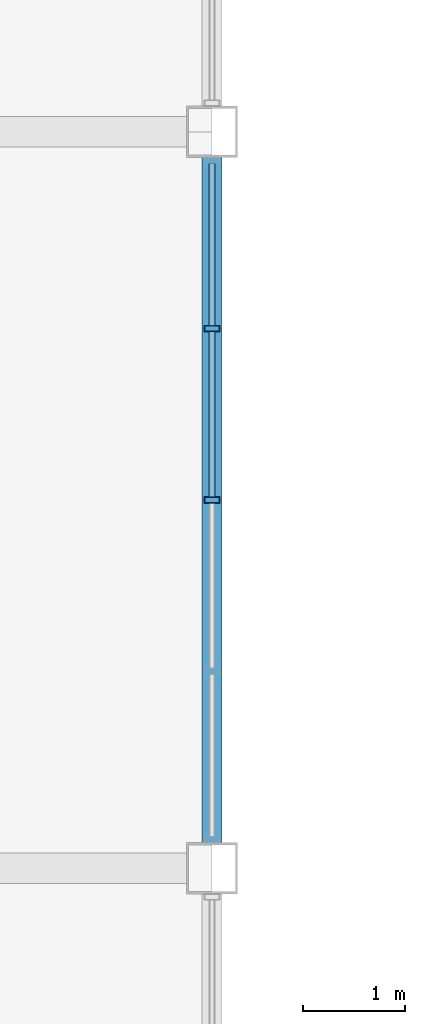
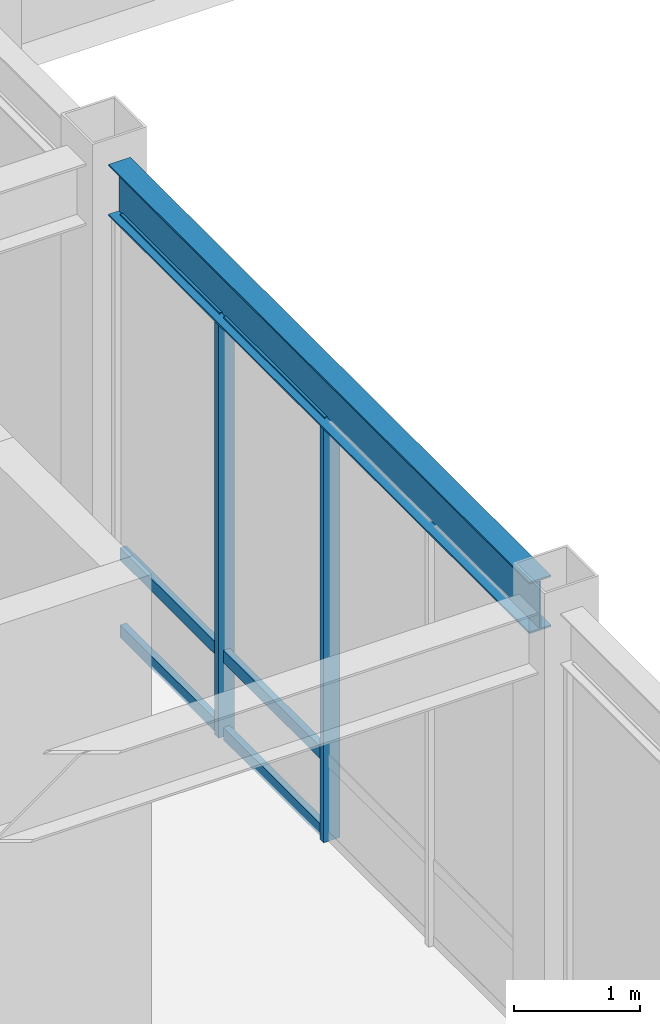
# One storey, part 17 of 112: 8 members, 1 beam, 1 element without a shape of its own.
"""IFC4 building model written with IfcOpenShell, lengths in metres."""

from ifc_helpers import new_model, si_unit, direction, frame, origin, origin_2d, place, context, subcontext, project, spatial, hollow_rectangle, i_section, extrude, material, material_profile, profile_set, type_object, element, aggregate, save


model = new_model("IFC4")

# Units and contexts
model_context = context("Model", 3, precision=1e-05, world=origin(), true_north=direction((0.0, 1.0)))
body_context = subcontext(model_context, "Body", "Model", "MODEL_VIEW")
ifc_project = project(units=[si_unit("LENGTHUNIT", "METRE"), si_unit("AREAUNIT", "SQUARE_METRE"), si_unit("VOLUMEUNIT", "CUBIC_METRE"), si_unit("PLANEANGLEUNIT", "RADIAN"), si_unit("MASSUNIT", "GRAM", prefix="KILO")], contexts=[model_context])

# Site, building, storey
site_placement = place(None, origin())
site = spatial("IfcSite", under=ifc_project, at=site_placement, CompositionType="ELEMENT")
building_placement = place(site_placement, origin())
building = spatial("IfcBuilding", under=site, at=building_placement, Name="Kazanami Central Library", CompositionType="ELEMENT")
storey_placement = place(building_placement, origin())
storey = spatial("IfcBuildingStorey", under=building, at=storey_placement, Name="L01", CompositionType="ELEMENT", Elevation=0.0)

# Beam
ifc_material_1 = material(Name="Steel SN490B (325 MPa)", Category="steel")
ifc_material_profile_1 = material_profile(ifc_material_1, i_section(OverallWidth=0.199951171875, OverallDepth=0.5, WebThickness=0.010009765625, FlangeThickness=0.01611328125, at=origin_2d()), Name="H-500x200x10x16")
ifc_profile_set_1 = profile_set([ifc_material_profile_1], Name="Steel SN490B (325 MPa)")
beam_type = type_object("IfcBeamType", Name="BM-SP-1", PredefinedType="SPANDREL", material=ifc_profile_set_1)
beam_placement = place(storey_placement, frame((36.0, 7.447998046875, 4.304931640625), z_axis=(0.0, 1.0, 0.0), x_axis=(-1.0, 0.0, 0.0)))
element("IfcBeam", 1, at=beam_placement, inside=storey, type_object=beam_type, Name="Girder SP-1 L01 5/B-C", PredefinedType="SPANDREL", context=body_context, shape_type="SweptSolid", body=[
    extrude(i_section(OverallWidth=0.199951171875, OverallDepth=0.5, WebThickness=0.010009765625, FlangeThickness=0.01611328125, at=origin_2d()), origin(), (0.0, 0.0, 1.0), 6.7041015625),
])

# Curtain wall, members
ifc_material_2 = material(Name="Acid-Etched Low-E Laminated Glass", Category="glass")
curtain_wall_type = type_object("IfcCurtainWallType", Name="CW-6700x4055-M180", PredefinedType="USERDEFINED", material=ifc_material_2)
curtain_wall_placement = place(storey_placement, origin())
curtain_wall = element("IfcCurtainWall", 2, at=curtain_wall_placement, inside=storey, type_object=curtain_wall_type, Name="Covered Link Bridge Curtain Wall CW-09 L01 E-5-01", ObjectType="UNITISED CURTAIN WALL", PredefinedType="USERDEFINED")
ifc_material_3 = material(Name="Anodised Aluminium A6063-T5", Category="aluminium")
ifc_material_profile_2 = material_profile(ifc_material_3, hollow_rectangle(XDim=0.06005859375, YDim=0.14990234375, WallThickness=0.00390625, at=origin_2d()), Name="ALU-MULL-60x150x4")
ifc_profile_set_2 = profile_set([ifc_material_profile_2], Name="Anodised Aluminium A6063-T5")
member_type_1 = type_object("IfcMemberType", Name="MEM-CW-M3", PredefinedType="MULLION", material=ifc_profile_set_2)
member_1_placement = place(storey_placement, frame((36.0, 12.47509765625, 0.0), z_axis=(0.0, 0.0, 1.0), x_axis=(0.0, -1.0, 0.0)))
member_1 = element("IfcMember", 3, at=member_1_placement, type_object=member_type_1, Name="CW-09 mullion 2", PredefinedType="MULLION", context=body_context, shape_type="SweptSolid", body=[
    extrude(hollow_rectangle(XDim=0.06005859375, YDim=0.14990234375, WallThickness=0.00390625, at=origin_2d()), origin(), (0.0, 0.0, 1.0), 4.054931640625),
])
member_2_placement = place(storey_placement, frame((36.0, 10.800048828125, 0.0), z_axis=(0.0, 0.0, 1.0), x_axis=(0.0, -1.0, 0.0)))
member_2 = element("IfcMember", 4, at=member_2_placement, type_object=member_type_1, Name="CW-09 mullion 3", PredefinedType="MULLION", context=body_context, shape_type="SweptSolid", body=[
    extrude(hollow_rectangle(XDim=0.06005859375, YDim=0.14990234375, WallThickness=0.00390625, at=origin_2d()), origin(), (0.0, 0.0, 1.0), 4.054931640625),
])
ifc_material_profile_3 = material_profile(ifc_material_3, hollow_rectangle(XDim=0.06005859375, YDim=0.1201171875, WallThickness=0.00341796875, at=origin_2d()), Name="ALU-TRAN-60x120x3.5")
ifc_profile_set_3 = profile_set([ifc_material_profile_3], Name="Anodised Aluminium A6063-T5")
member_type_2 = type_object("IfcMemberType", Name="MEM-CW-T3", PredefinedType="USERDEFINED", material=ifc_profile_set_3)
member_3_placement = place(storey_placement, frame((36.0, 14.090087890625, 0.030029296875), z_axis=(0.0, -1.0, 0.0), x_axis=(1.0, 0.0, 0.0)))
member_3 = element("IfcMember", 5, at=member_3_placement, type_object=member_type_2, Name="CW-09 transom 1.1", ObjectType="TRANSOM", PredefinedType="USERDEFINED", context=body_context, shape_type="SweptSolid", body=[
    extrude(hollow_rectangle(XDim=0.06005859375, YDim=0.1201171875, WallThickness=0.00341796875, at=origin_2d()), origin(), (0.0, 0.0, 1.0), 1.585205078125),
])
member_4_placement = place(storey_placement, frame((36.0, 14.090087890625, 0.780029296875), z_axis=(0.0, -1.0, 0.0), x_axis=(1.0, 0.0, 0.0)))
member_4 = element("IfcMember", 6, at=member_4_placement, type_object=member_type_2, Name="CW-09 transom 1.2", ObjectType="TRANSOM", PredefinedType="USERDEFINED", context=body_context, shape_type="SweptSolid", body=[
    extrude(hollow_rectangle(XDim=0.06005859375, YDim=0.1201171875, WallThickness=0.00341796875, at=origin_2d()), origin(), (0.0, 0.0, 1.0), 1.585205078125),
])
member_5_placement = place(storey_placement, frame((36.0, 14.090087890625, 4.02490234375), z_axis=(0.0, -1.0, 0.0), x_axis=(1.0, 0.0, 0.0)))
member_5 = element("IfcMember", 7, at=member_5_placement, type_object=member_type_2, Name="CW-09 transom 1.3", ObjectType="TRANSOM", PredefinedType="USERDEFINED", context=body_context, shape_type="SweptSolid", body=[
    extrude(hollow_rectangle(XDim=0.06005859375, YDim=0.1201171875, WallThickness=0.00341796875, at=origin_2d()), origin(), (0.0, 0.0, 1.0), 1.585205078125),
])
member_6_placement = place(storey_placement, frame((36.0, 12.445068359375, 0.030029296875), z_axis=(0.0, -1.0, 0.0), x_axis=(1.0, 0.0, 0.0)))
member_6 = element("IfcMember", 8, at=member_6_placement, type_object=member_type_2, Name="CW-09 transom 2.1", ObjectType="TRANSOM", PredefinedType="USERDEFINED", context=body_context, shape_type="SweptSolid", body=[
    extrude(hollow_rectangle(XDim=0.06005859375, YDim=0.1201171875, WallThickness=0.00341796875, at=origin_2d()), origin(), (0.0, 0.0, 1.0), 1.614990234375),
])
member_7_placement = place(storey_placement, frame((36.0, 12.445068359375, 0.780029296875), z_axis=(0.0, -1.0, 0.0), x_axis=(1.0, 0.0, 0.0)))
member_7 = element("IfcMember", 9, at=member_7_placement, type_object=member_type_2, Name="CW-09 transom 2.2", ObjectType="TRANSOM", PredefinedType="USERDEFINED", context=body_context, shape_type="SweptSolid", body=[
    extrude(hollow_rectangle(XDim=0.06005859375, YDim=0.1201171875, WallThickness=0.00341796875, at=origin_2d()), origin(), (0.0, 0.0, 1.0), 1.614990234375),
])
member_8_placement = place(storey_placement, frame((36.0, 12.445068359375, 4.02490234375), z_axis=(0.0, -1.0, 0.0), x_axis=(1.0, 0.0, 0.0)))
member_8 = element("IfcMember", 10, at=member_8_placement, type_object=member_type_2, Name="CW-09 transom 2.3", ObjectType="TRANSOM", PredefinedType="USERDEFINED", context=body_context, shape_type="SweptSolid", body=[
    extrude(hollow_rectangle(XDim=0.06005859375, YDim=0.1201171875, WallThickness=0.00341796875, at=origin_2d()), origin(), (0.0, 0.0, 1.0), 1.614990234375),
])
aggregate(curtain_wall, [member_1, member_2, member_3, member_4, member_5, member_6, member_7, member_8])

save(model, "model.ifc")
